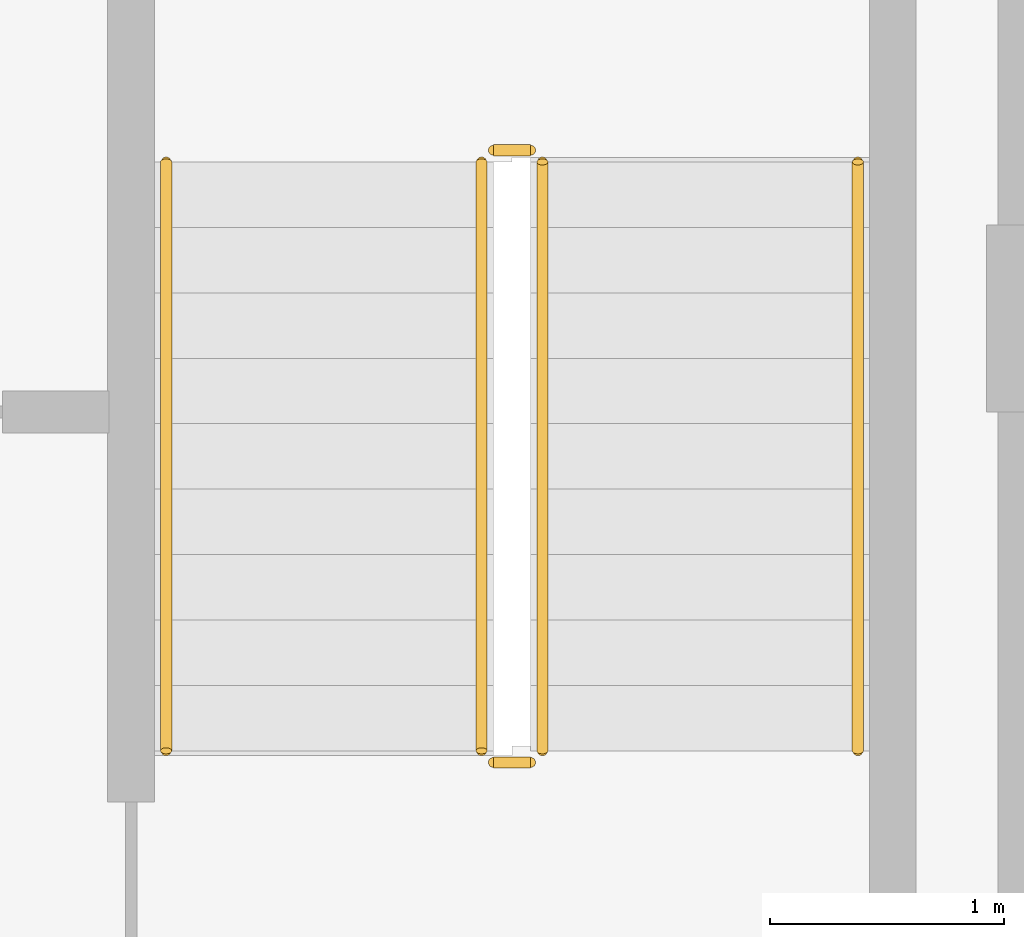
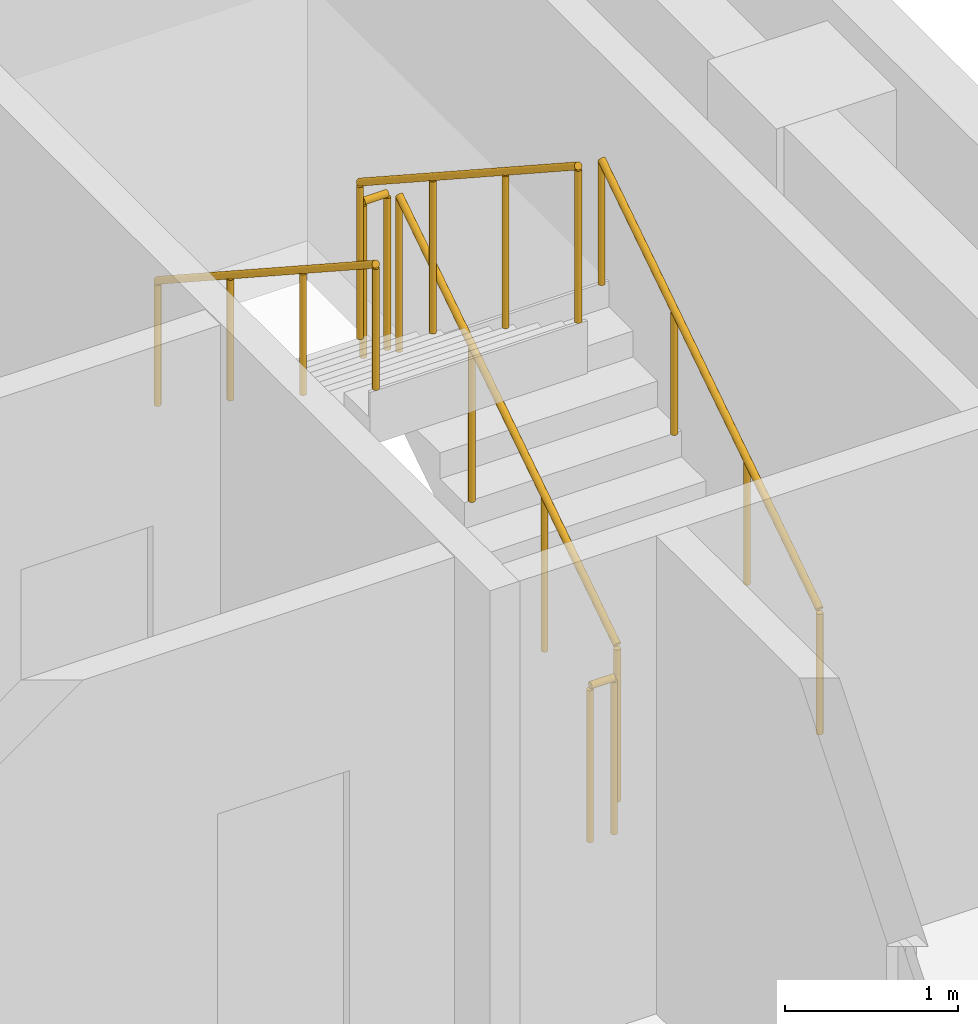
# One storey, part 13 of 14: 6 railings.
"""IFC4 building model written with IfcOpenShell, lengths in metres."""

from ifc_helpers import new_model, si_unit, direction, frame, origin, origin_2d, place, context, subcontext, project, spatial, circle, extrude, material, type_object, element, save


model = new_model("IFC4")

# Units and contexts
model_context = context("Model", 3, precision=1e-05, world=origin(), true_north=direction((0.0, 1.0)))
body_context = subcontext(model_context, "Body", "Model", "MODEL_VIEW")
ifc_project = project(units=[si_unit("LENGTHUNIT", "METRE"), si_unit("AREAUNIT", "SQUARE_METRE"), si_unit("VOLUMEUNIT", "CUBIC_METRE"), si_unit("PLANEANGLEUNIT", "RADIAN"), si_unit("MASSUNIT", "GRAM", prefix="KILO")], contexts=[model_context])

# Site, building, storey
site_placement = place(None, origin())
site = spatial("IfcSite", under=ifc_project, at=site_placement, CompositionType="ELEMENT")
building_placement = place(site_placement, origin())
building = spatial("IfcBuilding", under=site, at=building_placement, Name="Nuvemarco Arch Tower", CompositionType="ELEMENT")
storey_placement = place(building_placement, frame((0.0, 0.0, 238.35009765625)))
storey = spatial("IfcBuildingStorey", under=building, at=storey_placement, Name="L63", CompositionType="ELEMENT", Elevation=238.35009765625)

# Railings
ifc_material_1 = material(Name="Brushed stainless steel handrail", Category="steel")
railing_type_1 = type_object("IfcRailingType", Name="RL-HANDRAIL-900", PredefinedType="HANDRAIL", material=ifc_material_1)
railing_1_placement = place(storey_placement, frame((16.550048828125, 2.64990234375, 0.182373046875)))
element("IfcRailing", 1, at=railing_1_placement, inside=storey, type_object=railing_type_1, Name="L63 ST-2 stair handrail 1", PredefinedType="HANDRAIL", context=body_context, shape_type="SweptSolid", body=[
    extrude(circle(Radius=0.02392578125, at=origin_2d()), frame((0.0, 0.0, 0.8759765625), z_axis=(0.0, 0.837749427056, 0.546054848405), x_axis=(-1.0, 0.0, 0.0)), (0.0, 0.0, 1.0), 3.008056640625),
    extrude(circle(Radius=0.02099609375, at=origin_2d()), origin(), (0.0, 0.0, 1.0), 0.851806640625),
    extrude(circle(Radius=0.02099609375, at=origin_2d()), frame((0.0, 0.840087890625, 0.547607421875)), (0.0, 0.0, 1.0), 0.851806640625),
    extrude(circle(Radius=0.02099609375, at=origin_2d()), frame((0.0, 1.679931640625, 1.094970703125)), (0.0, 0.0, 1.0), 0.851806640625),
    extrude(circle(Radius=0.02099609375, at=origin_2d()), frame((0.0, 2.52001953125, 1.642578125)), (0.0, 0.0, 1.0), 0.851806640625),
])
railing_2_placement = place(storey_placement, frame((13.590087890625, 5.169921875, 2.00732421875)))
element("IfcRailing", 2, at=railing_2_placement, inside=storey, type_object=railing_type_1, Name="L63 ST-2 stair handrail 2", PredefinedType="HANDRAIL", context=body_context, shape_type="SweptSolid", body=[
    extrude(circle(Radius=0.02392578125, at=origin_2d()), frame((0.0, 0.0, 0.8759765625), z_axis=(0.0, -0.837749427056, 0.546054848405), x_axis=(1.0, 0.0, 0.0)), (0.0, 0.0, 1.0), 3.008056640625),
    extrude(circle(Radius=0.02099609375, at=origin_2d()), origin(), (0.0, 0.0, 1.0), 0.851806640625),
    extrude(circle(Radius=0.02099609375, at=origin_2d()), frame((0.0, -0.840087890625, 0.547607421875)), (0.0, 0.0, 1.0), 0.851806640625),
    extrude(circle(Radius=0.02099609375, at=origin_2d()), frame((0.0, -1.679931640625, 1.094970703125)), (0.0, 0.0, 1.0), 0.851806640625),
    extrude(circle(Radius=0.02099609375, at=origin_2d()), frame((0.0, -2.52001953125, 1.642578125)), (0.0, 0.0, 1.0), 0.851806640625),
])
ifc_material_2 = material(Name="Painted balustrade steel S355", Category="steel")
railing_type_2 = type_object("IfcRailingType", Name="RL-STAIR-GUARD", PredefinedType="GUARDRAIL", material=ifc_material_2)
railing_3_placement = place(storey_placement, frame((15.199951171875, 2.64990234375, 0.182373046875)))
element("IfcRailing", 3, at=railing_3_placement, inside=storey, type_object=railing_type_2, Name="L63 ST-2 stair guard 1", PredefinedType="GUARDRAIL", context=body_context, shape_type="SweptSolid", body=[
    extrude(circle(Radius=0.02392578125, at=origin_2d()), frame((0.0, 0.0, 1.09619140625), z_axis=(0.0, 0.837749427056, 0.546054848405), x_axis=(-1.0, 0.0, 0.0)), (0.0, 0.0, 1.0), 3.008056640625),
    extrude(circle(Radius=0.02099609375, at=origin_2d()), origin(), (0.0, 0.0, 1.0), 1.072021484375),
    extrude(circle(Radius=0.02099609375, at=origin_2d()), frame((0.0, 0.840087890625, 0.547607421875)), (0.0, 0.0, 1.0), 1.072021484375),
    extrude(circle(Radius=0.02099609375, at=origin_2d()), frame((0.0, 1.679931640625, 1.094970703125)), (0.0, 0.0, 1.0), 1.072021484375),
    extrude(circle(Radius=0.02099609375, at=origin_2d()), frame((0.0, 2.52001953125, 1.642578125)), (0.0, 0.0, 1.0), 1.072021484375),
])
railing_4_placement = place(storey_placement, frame((15.14990234375, 5.219970703125, 1.824951171875)))
element("IfcRailing", 4, at=railing_4_placement, inside=storey, type_object=railing_type_2, Name="L63 ST-2 stair guard 2", PredefinedType="GUARDRAIL", context=body_context, shape_type="SweptSolid", body=[
    extrude(circle(Radius=0.02392578125, at=origin_2d()), frame((0.0, 0.0, 1.09619140625), z_axis=(-1.0, 0.0, 0.0), x_axis=(0.0, -1.0, 0.0)), (0.0, 0.0, 1.0), 0.159912109375),
    extrude(circle(Radius=0.02099609375, at=origin_2d()), origin(), (0.0, 0.0, 1.0), 1.072021484375),
    extrude(circle(Radius=0.02099609375, at=origin_2d()), frame((-0.159912109375, 0.0, 0.0)), (0.0, 0.0, 1.0), 1.072021484375),
])
railing_5_placement = place(storey_placement, frame((14.93994140625, 5.169921875, 2.00732421875)))
element("IfcRailing", 5, at=railing_5_placement, inside=storey, type_object=railing_type_2, Name="L63 ST-2 stair guard 3", PredefinedType="GUARDRAIL", context=body_context, shape_type="SweptSolid", body=[
    extrude(circle(Radius=0.02392578125, at=origin_2d()), frame((0.0, 0.0, 1.09619140625), z_axis=(0.0, -0.837749427056, 0.546054848405), x_axis=(1.0, 0.0, 0.0)), (0.0, 0.0, 1.0), 3.008056640625),
    extrude(circle(Radius=0.02099609375, at=origin_2d()), origin(), (0.0, 0.0, 1.0), 1.072021484375),
    extrude(circle(Radius=0.02099609375, at=origin_2d()), frame((0.0, -0.840087890625, 0.547607421875)), (0.0, 0.0, 1.0), 1.072021484375),
    extrude(circle(Radius=0.02099609375, at=origin_2d()), frame((0.0, -1.679931640625, 1.094970703125)), (0.0, 0.0, 1.0), 1.072021484375),
    extrude(circle(Radius=0.02099609375, at=origin_2d()), frame((0.0, -2.52001953125, 1.642578125)), (0.0, 0.0, 1.0), 1.072021484375),
])
railing_6_placement = place(storey_placement, frame((15.14990234375, 2.60009765625, 0.0)))
element("IfcRailing", 6, at=railing_6_placement, inside=storey, type_object=railing_type_2, Name="L63 ST-2 stair guard 4", PredefinedType="GUARDRAIL", context=body_context, shape_type="SweptSolid", body=[
    extrude(circle(Radius=0.02392578125, at=origin_2d()), frame((0.0, 0.0, 1.09619140625), z_axis=(-1.0, 0.0, 0.0), x_axis=(0.0, -1.0, 0.0)), (0.0, 0.0, 1.0), 0.159912109375),
    extrude(circle(Radius=0.02099609375, at=origin_2d()), origin(), (0.0, 0.0, 1.0), 1.072021484375),
    extrude(circle(Radius=0.02099609375, at=origin_2d()), frame((-0.159912109375, 0.0, 0.0)), (0.0, 0.0, 1.0), 1.072021484375),
])

save(model, "model.ifc")
